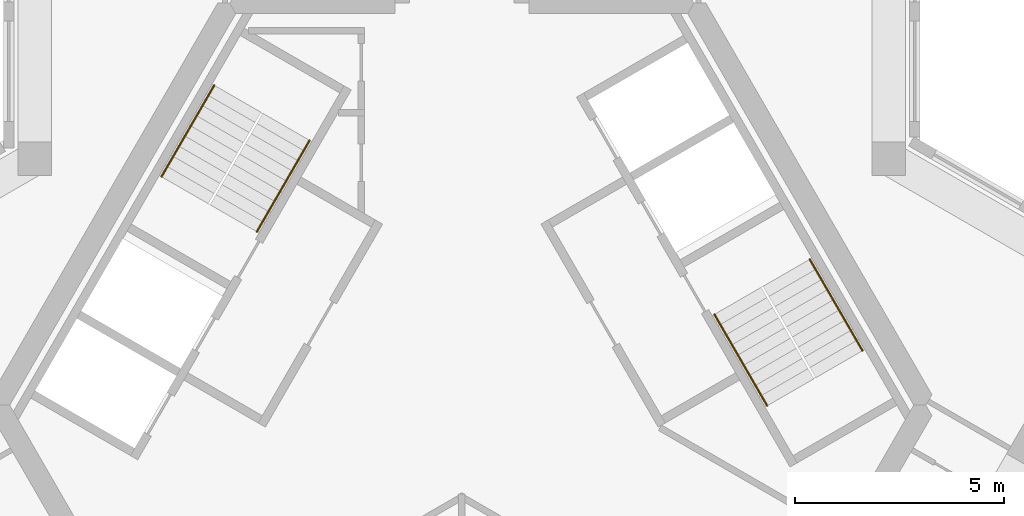
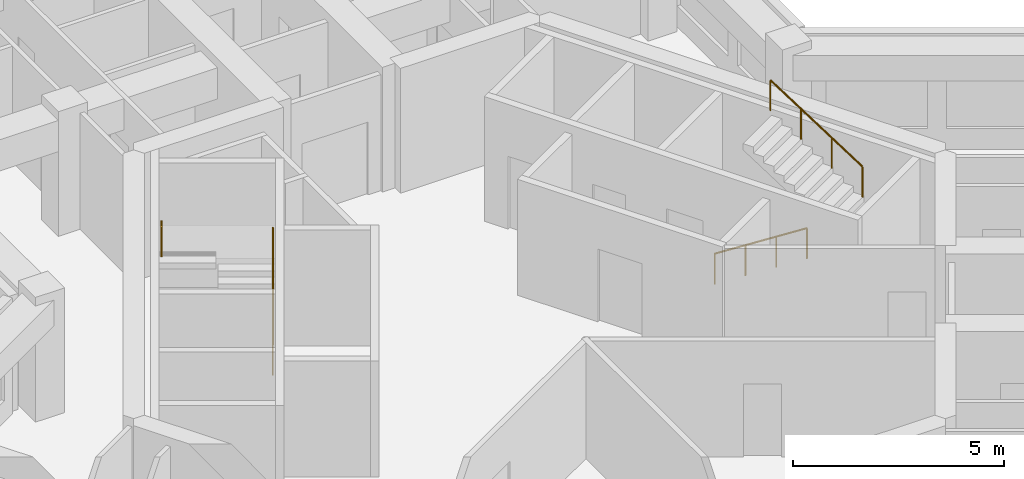
# One storey, part 14 of 14: 4 railings.
"""IFC4 building model written with IfcOpenShell, lengths in metres."""

import ifcopenshell
import ifcopenshell.guid

model = None  # the IFC model being written
_history = None  # IfcOwnerHistory: only IFC2X3 demands one
_inside = {}  # id of a spatial element -> (the spatial element, [elements in it])
_under = {}  # id of a project, library or spatial element -> (it, [spatial elements below it])
_declared = {}  # id of a project -> (the project, [libraries it declares])
_typed = {}  # id of a type object -> (the type object, [elements of that type])
_made_of = {}  # id of a material, layer set ... -> (it, [elements and type objects made of it])


def new_model(schema):
    """Start an empty IFC model of exactly this schema.

    Asked for "IFC4X3", IfcOpenShell would pick the latest addendum, in which some entities
    have other attributes; the version numbers below select the first issue.
    IFC2X3 requires an IfcOwnerHistory on every rooted entity: one is made here for all.
    """
    global model, _history
    if schema == "IFC4X3":
        model = ifcopenshell.file(schema_version=(4, 3, 0, 0))
    else:
        model = ifcopenshell.file(schema=schema)
    _inside.clear()
    _under.clear()
    _declared.clear()
    _typed.clear()
    _made_of.clear()
    _history = None
    if model.schema == "IFC2X3":
        org = make("IfcOrganization", Name="unknown")
        user = make(
            "IfcPersonAndOrganization",
            ThePerson=make("IfcPerson", FamilyName="unknown"),
            TheOrganization=org,
        )
        app = make(
            "IfcApplication",
            ApplicationDeveloper=org,
            Version="unknown",
            ApplicationFullName="unknown",
            ApplicationIdentifier="unknown",
        )
        _history = make(
            "IfcOwnerHistory",
            OwningUser=user,
            OwningApplication=app,
            ChangeAction="ADDED",
            CreationDate=0,
        )
    return model


def make(cls, **values):
    """One entity of the class cls with the attributes given. An attribute that is None is left unset."""
    return model.create_entity(
        cls, **{name: value for name, value in values.items() if value is not None}
    )


def rooted(cls, **values):
    """An entity with a GlobalId (a new one), such as an element, a storey or a relation."""
    return make(cls, GlobalId=ifcopenshell.guid.new(), OwnerHistory=_history, **values)


def si_unit(unit_type, name, prefix=None):
    """IfcSIUnit, for example si_unit("LENGTHUNIT", "METRE", prefix="MILLI")."""
    return make("IfcSIUnit", UnitType=unit_type, Prefix=prefix, Name=name)


def assignment(units):
    """IfcUnitAssignment: the units of a project."""
    return None if units is None else make("IfcUnitAssignment", Units=units)


def point(xyz):
    """IfcCartesianPoint."""
    return None if xyz is None else make("IfcCartesianPoint", Coordinates=xyz)


def direction(xyz):
    """IfcDirection."""
    return None if xyz is None else make("IfcDirection", DirectionRatios=xyz)


def frame(location, z_axis=None, x_axis=None):
    """IfcAxis2Placement3D, a coordinate frame: its origin and axes. An axis left out is left unset."""
    return make(
        "IfcAxis2Placement3D",
        Location=point(location),
        Axis=direction(z_axis),
        RefDirection=direction(x_axis),
    )


def frame_2d(location, x_axis=None):
    """IfcAxis2Placement2D, a coordinate frame in the plane: its origin and x axis."""
    return make(
        "IfcAxis2Placement2D", Location=point(location), RefDirection=direction(x_axis)
    )


def origin():
    """The frame at (0, 0, 0) with its axes left unset."""
    return frame((0.0, 0.0, 0.0))


def origin_2d():
    """The frame at (0, 0) in the plane with its x axis left unset."""
    return frame_2d((0.0, 0.0))


def place(relative_to, where):
    """IfcLocalPlacement: puts the frame where relative to a parent placement (None: the world)."""
    return make(
        "IfcLocalPlacement", PlacementRelTo=relative_to, RelativePlacement=where
    )


def context(
    kind, dimensions, precision=None, world=None, true_north=None, identifier=None
):
    """IfcGeometricRepresentationContext, for example the 3D "Model" context."""
    return make(
        "IfcGeometricRepresentationContext",
        ContextIdentifier=identifier,
        ContextType=kind,
        CoordinateSpaceDimension=dimensions,
        Precision=precision,
        WorldCoordinateSystem=world,
        TrueNorth=true_north,
    )


def subcontext(parent, identifier, kind, view, scale=None):
    """IfcGeometricRepresentationSubContext, for example "Body" below "Model"."""
    return make(
        "IfcGeometricRepresentationSubContext",
        ContextIdentifier=identifier,
        ContextType=kind,
        ParentContext=parent,
        TargetScale=scale,
        TargetView=view,
    )


def project(units=None, contexts=None):
    """IfcProject with its units and contexts."""
    return rooted(
        "IfcProject",
        Name="project",
        RepresentationContexts=contexts,
        UnitsInContext=assignment(units),
    )


def spatial(cls, under=None, at=None, **own):
    """A site, building, storey or space (cls), placed at a placement, below another one or the project."""
    s = rooted(cls, ObjectPlacement=at, **own)
    if under is not None:
        _under.setdefault(under.id(), (under, []))[1].append(s)
    return s


def profile(cls, at=None, kind="AREA", **sizes):
    """A parametric profile (cls). Its sizes go by their IFC names, for example OverallWidth=200.0."""
    return make(cls, ProfileType=kind, Position=at, **sizes)


def circle(**sizes):
    """IfcCircleProfileDef."""
    return profile("IfcCircleProfileDef", **sizes)


def extrude(swept, where, along, depth):
    """IfcExtrudedAreaSolid: the profile swept, set in the frame where, extruded along a direction by depth."""
    return make(
        "IfcExtrudedAreaSolid",
        SweptArea=swept,
        Position=where,
        ExtrudedDirection=direction(along),
        Depth=depth,
    )


def shape(context_of_items, identifier, shape_type, items):
    """IfcShapeRepresentation: the items that make up one representation, for example the "Body"."""
    return make(
        "IfcShapeRepresentation",
        ContextOfItems=context_of_items,
        RepresentationIdentifier=identifier,
        RepresentationType=shape_type,
        Items=items,
    )


def material(Name=None, Category=None):
    """IfcMaterial."""
    return make("IfcMaterial", Name=Name, Category=Category)


def made_of(thing, what):
    """Note that an element or type object is made of a material, layer set ...; save() writes the relation."""
    if what is not None:
        _made_of.setdefault(what.id(), (what, []))[1].append(thing)
    return thing


def type_object(cls, material=None, **own):
    """A type object (cls), such as IfcWallType, which elements share."""
    return made_of(rooted(cls, **own), material)


def element(
    cls,
    number,
    at=None,
    inside=None,
    cuts=None,
    type_object=None,
    material=None,
    context=None,
    identifier="Body",
    shape_type=None,
    held_by="IfcProductDefinitionShape",
    body=None,
    shapes=None,
    **own,
):
    """One element of the class cls, such as IfcWall. Its Tag is "e" and its number.

    at: its placement. inside: the storey or other place that contains it. cuts: it is an
    opening in that element (IfcRelVoidsElement). A single representation is given by context,
    identifier, shape_type and body (its items); several are given by shapes. held_by: the class
    of the entity that holds the representations. save() writes the other relations.
    """
    e = rooted(cls, Tag="e%d" % number, ObjectPlacement=at, **own)
    if body is not None:
        shapes = [shape(context, identifier, shape_type, body)]
    if shapes is not None:
        e.Representation = make(held_by, Representations=shapes)
    if inside is not None:
        _inside.setdefault(inside.id(), (inside, []))[1].append(e)
    if cuts is not None:
        rooted(
            "IfcRelVoidsElement", RelatingBuildingElement=cuts, RelatedOpeningElement=e
        )
    if type_object is not None:
        _typed.setdefault(type_object.id(), (type_object, []))[1].append(e)
    return made_of(e, material)


def aggregate(whole, parts):
    """IfcRelAggregates: a whole, such as a stair, and the parts it consists of."""
    return rooted("IfcRelAggregates", RelatingObject=whole, RelatedObjects=parts)


def save(model, path):
    """Write the relations noted so far, then the file.

    IfcRelAggregates (storeys below a building ...), IfcRelContainedInSpatialStructure (elements
    in a storey), IfcRelDefinesByType, IfcRelAssociatesMaterial and IfcRelDeclares: one each for
    every whole, place, type object, material and project.
    """
    for whole, parts in _under.values():
        aggregate(whole, parts)
    for where, things in _inside.values():
        rooted(
            "IfcRelContainedInSpatialStructure",
            RelatedElements=things,
            RelatingStructure=where,
        )
    for kind, things in _typed.values():
        rooted("IfcRelDefinesByType", RelatedObjects=things, RelatingType=kind)
    for what, things in _made_of.values():
        rooted("IfcRelAssociatesMaterial", RelatedObjects=things, RelatingMaterial=what)
    for by, libraries in _declared.values():
        rooted("IfcRelDeclares", RelatingContext=by, RelatedDefinitions=libraries)
    model.write(path)


model = new_model("IFC4")

# Units and contexts
model_context = context("Model", 3, precision=1e-05, world=origin(), true_north=direction((0.0, 1.0)))
body_context = subcontext(model_context, "Body", "Model", "MODEL_VIEW")
ifc_project = project(units=[si_unit("LENGTHUNIT", "METRE"), si_unit("AREAUNIT", "SQUARE_METRE"), si_unit("VOLUMEUNIT", "CUBIC_METRE"), si_unit("PLANEANGLEUNIT", "RADIAN"), si_unit("MASSUNIT", "GRAM", prefix="KILO")], contexts=[model_context])

# Site, building, storey
site_placement = place(None, origin())
site = spatial("IfcSite", under=ifc_project, at=site_placement, CompositionType="ELEMENT")
building_placement = place(site_placement, origin())
building = spatial("IfcBuilding", under=site, at=building_placement, Name="Kosmar Iwan School Tower", CompositionType="ELEMENT")
storey_placement = place(building_placement, frame((0.0, 0.0, 285.39990234375)))
storey = spatial("IfcBuildingStorey", under=building, at=storey_placement, Name="L72", CompositionType="ELEMENT", Elevation=285.39990234375)

# Railings
ifc_material = material(Name="Black steel", Category="steel")
railing_type = type_object("IfcRailingType", Name="Stair handrail 900", PredefinedType="HANDRAIL", material=ifc_material)
railing_1_placement = place(storey_placement, frame((-4.89453125, 4.142333984375, 0.18017578125)))
element("IfcRailing", 1, at=railing_1_placement, inside=storey, type_object=railing_type, Name="Handrail ST2 flight 1", PredefinedType="HANDRAIL", context=body_context, shape_type="SweptSolid", body=[
    extrude(circle(Radius=0.02392578125, at=origin_2d()), frame((0.0, 0.0, 0.8759765625), z_axis=(0.42060268101, 0.72849590497, 0.54072830624), x_axis=(-0.866022637375, 0.500004791531, 0.0)), (0.0, 0.0, 1.0), 2.99560546875),
    extrude(circle(Radius=0.02099609375, at=origin_2d()), origin(), (0.0, 0.0, 1.0), 0.851806640625),
    extrude(circle(Radius=0.02099609375, at=origin_2d()), frame((0.419921875, 0.7275390625, 0.5400390625)), (0.0, 0.0, 1.0), 0.851806640625),
    extrude(circle(Radius=0.02099609375, at=origin_2d()), frame((0.840087890625, 1.454833984375, 1.079833984375)), (0.0, 0.0, 1.0), 0.851806640625),
    extrude(circle(Radius=0.02099609375, at=origin_2d()), frame((1.260009765625, 2.182373046875, 1.619873046875)), (0.0, 0.0, 1.0), 0.851806640625),
])
railing_2_placement = place(storey_placement, frame((-5.912353515625, 7.6396484375, 1.97998046875)))
element("IfcRailing", 2, at=railing_2_placement, inside=storey, type_object=railing_type, Name="Handrail ST2 flight 2", PredefinedType="HANDRAIL", context=body_context, shape_type="SweptSolid", body=[
    extrude(circle(Radius=0.02392578125, at=origin_2d()), frame((0.0, 0.0, 0.8759765625), z_axis=(-0.420584145978, -0.728463801763, 0.540785970299), x_axis=(0.866022637375, -0.500004791531, 0.0)), (0.0, 0.0, 1.0), 2.995849609375),
    extrude(circle(Radius=0.02099609375, at=origin_2d()), origin(), (0.0, 0.0, 1.0), 0.851806640625),
    extrude(circle(Radius=0.02099609375, at=origin_2d()), frame((-0.419921875, -0.7275390625, 0.5400390625)), (0.0, 0.0, 1.0), 0.851806640625),
    extrude(circle(Radius=0.02099609375, at=origin_2d()), frame((-0.840087890625, -1.454833984375, 1.080078125)), (0.0, 0.0, 1.0), 0.851806640625),
    extrude(circle(Radius=0.02099609375, at=origin_2d()), frame((-1.260009765625, -2.182373046875, 1.6201171875)), (0.0, 0.0, 1.0), 0.851806640625),
])
railing_3_placement = place(storey_placement, frame((6.03466796875, 2.167724609375, 0.18017578125)))
element("IfcRailing", 3, at=railing_3_placement, inside=storey, type_object=railing_type, Name="Handrail ST1 flight 1", PredefinedType="HANDRAIL", context=body_context, shape_type="SweptSolid", body=[
    extrude(circle(Radius=0.02392578125, at=origin_2d()), frame((0.0, 0.0, 0.8759765625), z_axis=(0.42060268101, -0.72849590497, 0.54072830624), x_axis=(0.866022637375, 0.500004791531, 0.0)), (0.0, 0.0, 1.0), 2.99560546875),
    extrude(circle(Radius=0.02099609375, at=origin_2d()), origin(), (0.0, 0.0, 1.0), 0.851806640625),
    extrude(circle(Radius=0.02099609375, at=origin_2d()), frame((0.419921875, -0.7275390625, 0.5400390625)), (0.0, 0.0, 1.0), 0.851806640625),
    extrude(circle(Radius=0.02099609375, at=origin_2d()), frame((0.840087890625, -1.454833984375, 1.079833984375)), (0.0, 0.0, 1.0), 0.851806640625),
    extrude(circle(Radius=0.02099609375, at=origin_2d()), frame((1.260009765625, -2.182373046875, 1.619873046875)), (0.0, 0.0, 1.0), 0.851806640625),
])
railing_4_placement = place(storey_placement, frame((9.572265625, 1.30029296875, 1.97998046875)))
element("IfcRailing", 4, at=railing_4_placement, inside=storey, type_object=railing_type, Name="Handrail ST1 flight 2", PredefinedType="HANDRAIL", context=body_context, shape_type="SweptSolid", body=[
    extrude(circle(Radius=0.02392578125, at=origin_2d()), frame((0.0, 0.0, 0.8759765625), z_axis=(-0.420584145978, 0.728463801763, 0.540785970299), x_axis=(-0.866022637375, -0.500004791531, 0.0)), (0.0, 0.0, 1.0), 2.995849609375),
    extrude(circle(Radius=0.02099609375, at=origin_2d()), origin(), (0.0, 0.0, 1.0), 0.851806640625),
    extrude(circle(Radius=0.02099609375, at=origin_2d()), frame((-0.419921875, 0.7275390625, 0.5400390625)), (0.0, 0.0, 1.0), 0.851806640625),
    extrude(circle(Radius=0.02099609375, at=origin_2d()), frame((-0.840087890625, 1.454833984375, 1.080078125)), (0.0, 0.0, 1.0), 0.851806640625),
    extrude(circle(Radius=0.02099609375, at=origin_2d()), frame((-1.260009765625, 2.182373046875, 1.6201171875)), (0.0, 0.0, 1.0), 0.851806640625),
])

save(model, "model.ifc")
